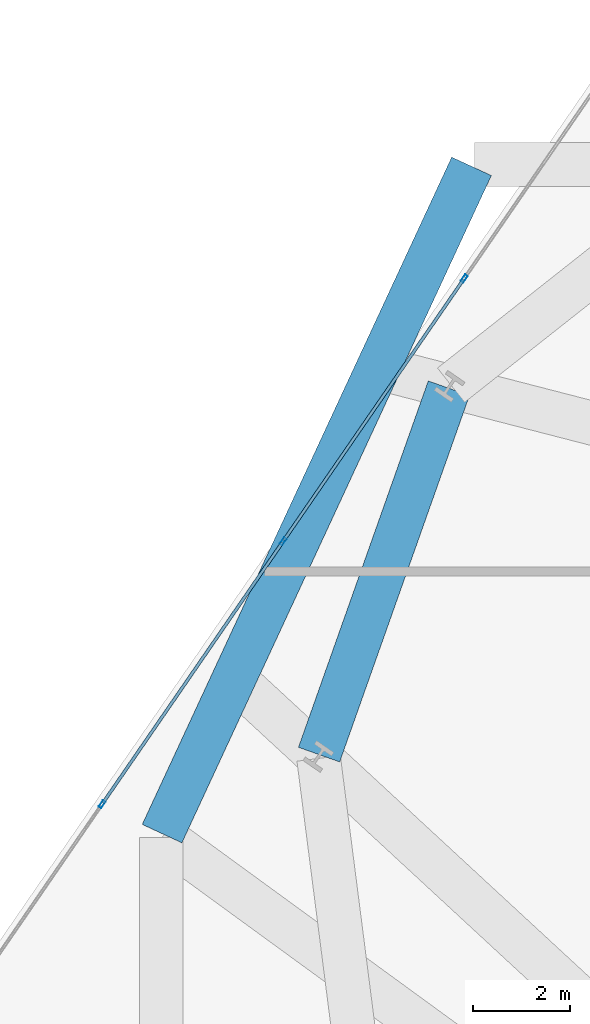
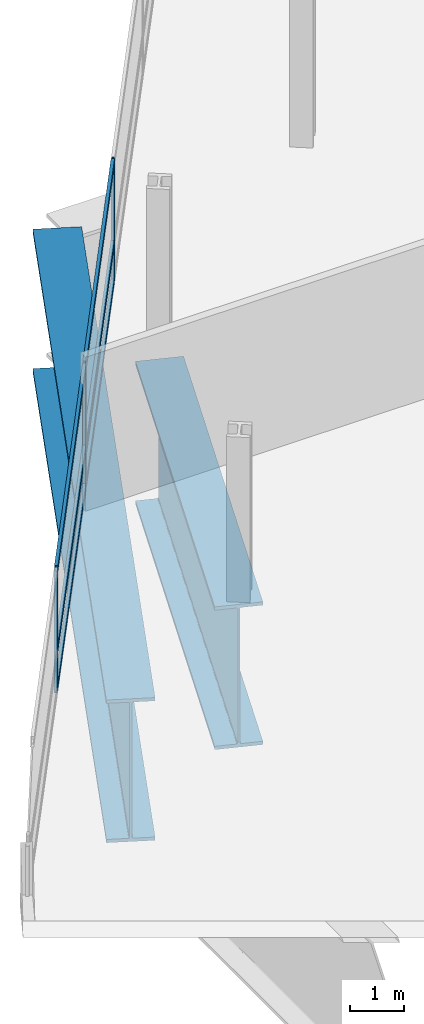
# One storey, part 4 of 26: 9 members, 2 beams, 1 element without a shape of its own.
"""IFC4 building model written with IfcOpenShell, lengths in metres."""

from ifc_helpers import new_model, si_unit, direction, frame, origin, origin_2d, place, context, subcontext, project, spatial, hollow_rectangle, i_section, extrude, material, layer, layer_set, material_profile, profile_set, type_object, element, aggregate, save


model = new_model("IFC4")

# Units and contexts
model_context = context("Model", 3, precision=1e-05, world=origin(), true_north=direction((0.0, 1.0)))
body_context = subcontext(model_context, "Body", "Model", "MODEL_VIEW")
ifc_project = project(units=[si_unit("LENGTHUNIT", "METRE"), si_unit("AREAUNIT", "SQUARE_METRE"), si_unit("VOLUMEUNIT", "CUBIC_METRE"), si_unit("PLANEANGLEUNIT", "RADIAN"), si_unit("MASSUNIT", "GRAM", prefix="KILO")], contexts=[model_context])

# Site, building, storey
site_placement = place(None, origin())
site = spatial("IfcSite", under=ifc_project, at=site_placement, CompositionType="ELEMENT")
building_placement = place(site_placement, origin())
building = spatial("IfcBuilding", under=site, at=building_placement, Name="Varnelok Gate Tower", CompositionType="ELEMENT")
storey_placement = place(building_placement, frame((0.0, 0.0, 27.0)))
storey = spatial("IfcBuildingStorey", under=building, at=storey_placement, Name="L05", CompositionType="ELEMENT", Elevation=27.0)

# Beams
ifc_material_1 = material(Name="Structural Steel ASTM A572 Grade 50", Category="steel")
ifc_material_profile_1 = material_profile(ifc_material_1, i_section(OverallWidth=0.89990234375, OverallDepth=3.199951171875, WebThickness=0.0400390625, FlangeThickness=0.074951171875, FilletRadius=0.030029296875, at=origin_2d()), Name="PG3200X900")
ifc_profile_set_1 = profile_set([ifc_material_profile_1], Name="Structural Steel ASTM A572 Grade 50")
beam_type = type_object("IfcBeamType", Name="BM-TR-PG3200", PredefinedType="BEAM", material=ifc_profile_set_1)
beam_1_placement = place(storey_placement, frame((7.18310546875, 49.763671875, -1.85009765625), z_axis=(-0.420721129441, -0.907190019369, 0.0), x_axis=(0.907190019369, -0.420721129441, 0.0)))
element("IfcBeam", 1, at=beam_1_placement, inside=storey, type_object=beam_type, Name="L05 Transfer Support Ring Girder 10", PredefinedType="BEAM", context=body_context, shape_type="SweptSolid", body=[
    extrude(i_section(OverallWidth=0.89990234375, OverallDepth=3.199951171875, WebThickness=0.0400390625, FlangeThickness=0.074951171875, FilletRadius=0.030029296875, at=origin_2d()), origin(), (0.0, 0.0, 1.0), 15.131591796875),
])
beam_2_placement = place(storey_placement, frame((6.716552734375, 45.19970703125, -1.85009765625), z_axis=(-0.333894612912, -0.942610411288, 0.0), x_axis=(0.942610411288, -0.333894612912, 0.0)))
element("IfcBeam", 2, at=beam_2_placement, inside=storey, type_object=beam_type, Name="L05 Upper Perimeter Transfer Ring 15", PredefinedType="BEAM", context=body_context, shape_type="SweptSolid", body=[
    extrude(i_section(OverallWidth=0.89990234375, OverallDepth=3.199951171875, WebThickness=0.0400390625, FlangeThickness=0.074951171875, FilletRadius=0.030029296875, at=origin_2d()), origin(), (0.0, 0.0, 1.0), 7.9970703125),
])

# Curtain wall, members
ifc_material_2 = material(Name="Anodized Aluminum Alloy 6063-T6", Category="aluminium")
ifc_layer = layer(ifc_material_2, 0.179931640625)
ifc_layer_set = layer_set([ifc_layer], Name="Anodized Aluminum Alloy 6063-T6")
curtain_wall_type = type_object("IfcCurtainWallType", Name="CW3-HOTEL-VISION", PredefinedType="USERDEFINED", material=ifc_layer_set)
curtain_wall_placement = place(storey_placement, origin())
curtain_wall = element("IfcCurtainWall", 3, at=curtain_wall_placement, inside=storey, type_object=curtain_wall_type, Name="L05 West End Vision Curtain Wall", ObjectType="UNITISED CURTAIN WALL", PredefinedType="USERDEFINED")
ifc_material_profile_2 = material_profile(ifc_material_2, hollow_rectangle(XDim=0.06494140625, YDim=0.159912109375, WallThickness=0.00390625, at=origin_2d()), Name="ALU160X65X4")
ifc_profile_set_2 = profile_set([ifc_material_profile_2], Name="Anodized Aluminum Alloy 6063-T6")
member_type_1 = type_object("IfcMemberType", Name="CW-MULL-160", PredefinedType="MULLION", material=ifc_profile_set_2)
member_1_placement = place(storey_placement, frame((-0.417236328125, 36.641845703125, 0.0), z_axis=(0.0, 0.0, 1.0), x_axis=(-0.823532685111, 0.567268822124, 0.0)))
member_1 = element("IfcMember", 4, at=member_1_placement, type_object=member_type_1, Name="CW3 mullion 2", PredefinedType="MULLION", context=body_context, shape_type="SweptSolid", body=[
    extrude(hollow_rectangle(XDim=0.06494140625, YDim=0.159912109375, WallThickness=0.00390625, at=origin_2d()), origin(), (0.0, 0.0, 1.0), 2.72998046875),
])
member_2_placement = place(storey_placement, frame((3.3076171875, 42.049560546875, 0.0), z_axis=(0.0, 0.0, 1.0), x_axis=(-0.823532685111, 0.567268822124, 0.0)))
member_2 = element("IfcMember", 5, at=member_2_placement, type_object=member_type_1, Name="CW3 mullion 3", PredefinedType="MULLION", context=body_context, shape_type="SweptSolid", body=[
    extrude(hollow_rectangle(XDim=0.06494140625, YDim=0.159912109375, WallThickness=0.00390625, at=origin_2d()), origin(), (0.0, 0.0, 1.0), 2.72998046875),
])
member_3_placement = place(storey_placement, frame((7.03271484375, 47.45751953125, 0.0), z_axis=(0.0, 0.0, 1.0), x_axis=(-0.823532685111, 0.567268822124, 0.0)))
member_3 = element("IfcMember", 6, at=member_3_placement, type_object=member_type_1, Name="CW3 mullion 4", PredefinedType="MULLION", context=body_context, shape_type="SweptSolid", body=[
    extrude(hollow_rectangle(XDim=0.06494140625, YDim=0.159912109375, WallThickness=0.00390625, at=origin_2d()), origin(), (0.0, 0.0, 1.0), 2.72998046875),
])
ifc_material_profile_3 = material_profile(ifc_material_2, hollow_rectangle(XDim=0.06494140625, YDim=0.159912109375, WallThickness=0.00390625, at=origin_2d()), Name="ALU160X65X4")
ifc_profile_set_3 = profile_set([ifc_material_profile_3], Name="Anodized Aluminum Alloy 6063-T6")
member_type_2 = type_object("IfcMemberType", Name="CW-TRAN-160", PredefinedType="USERDEFINED", material=ifc_profile_set_3)
member_4_placement = place(storey_placement, frame((-0.39892578125, 36.66845703125, 0.032470703125), z_axis=(0.567261662339, 0.823537616894, 0.0), x_axis=(-0.823537616894, 0.567261662339, 0.0)))
member_4 = element("IfcMember", 7, at=member_4_placement, type_object=member_type_2, Name="CW3 transom 2.1", ObjectType="TRANSOM", PredefinedType="USERDEFINED", context=body_context, shape_type="SweptSolid", body=[
    extrude(hollow_rectangle(XDim=0.06494140625, YDim=0.159912109375, WallThickness=0.00390625, at=origin_2d()), origin(), (0.0, 0.0, 1.0), 6.501708984375),
])
member_5_placement = place(storey_placement, frame((-0.39892578125, 36.66845703125, 0.89990234375), z_axis=(0.567261662339, 0.823537616894, 0.0), x_axis=(-0.823537616894, 0.567261662339, 0.0)))
member_5 = element("IfcMember", 8, at=member_5_placement, type_object=member_type_2, Name="CW3 transom 2.2", ObjectType="TRANSOM", PredefinedType="USERDEFINED", context=body_context, shape_type="SweptSolid", body=[
    extrude(hollow_rectangle(XDim=0.06494140625, YDim=0.159912109375, WallThickness=0.00390625, at=origin_2d()), origin(), (0.0, 0.0, 1.0), 6.501708984375),
])
member_6_placement = place(storey_placement, frame((-0.39892578125, 36.66845703125, 2.697509765625), z_axis=(0.567261662339, 0.823537616894, 0.0), x_axis=(-0.823537616894, 0.567261662339, 0.0)))
member_6 = element("IfcMember", 9, at=member_6_placement, type_object=member_type_2, Name="CW3 transom 2.3", ObjectType="TRANSOM", PredefinedType="USERDEFINED", context=body_context, shape_type="SweptSolid", body=[
    extrude(hollow_rectangle(XDim=0.06494140625, YDim=0.159912109375, WallThickness=0.00390625, at=origin_2d()), origin(), (0.0, 0.0, 1.0), 6.501708984375),
])
member_7_placement = place(storey_placement, frame((3.326171875, 42.076416015625, 0.032470703125), z_axis=(0.567279204469, 0.823525533409, 0.0), x_axis=(-0.823525533409, 0.567279204469, 0.0)))
member_7 = element("IfcMember", 10, at=member_7_placement, type_object=member_type_2, Name="CW3 transom 3.1", ObjectType="TRANSOM", PredefinedType="USERDEFINED", context=body_context, shape_type="SweptSolid", body=[
    extrude(hollow_rectangle(XDim=0.06494140625, YDim=0.159912109375, WallThickness=0.00390625, at=origin_2d()), origin(), (0.0, 0.0, 1.0), 6.501708984375),
])
member_8_placement = place(storey_placement, frame((3.326171875, 42.076416015625, 0.89990234375), z_axis=(0.567279204469, 0.823525533409, 0.0), x_axis=(-0.823525533409, 0.567279204469, 0.0)))
member_8 = element("IfcMember", 11, at=member_8_placement, type_object=member_type_2, Name="CW3 transom 3.2", ObjectType="TRANSOM", PredefinedType="USERDEFINED", context=body_context, shape_type="SweptSolid", body=[
    extrude(hollow_rectangle(XDim=0.06494140625, YDim=0.159912109375, WallThickness=0.00390625, at=origin_2d()), origin(), (0.0, 0.0, 1.0), 6.501708984375),
])
member_9_placement = place(storey_placement, frame((3.326171875, 42.076416015625, 2.697509765625), z_axis=(0.567279204469, 0.823525533409, 0.0), x_axis=(-0.823525533409, 0.567279204469, 0.0)))
member_9 = element("IfcMember", 12, at=member_9_placement, type_object=member_type_2, Name="CW3 transom 3.3", ObjectType="TRANSOM", PredefinedType="USERDEFINED", context=body_context, shape_type="SweptSolid", body=[
    extrude(hollow_rectangle(XDim=0.06494140625, YDim=0.159912109375, WallThickness=0.00390625, at=origin_2d()), origin(), (0.0, 0.0, 1.0), 6.501708984375),
])
aggregate(curtain_wall, [member_1, member_2, member_3, member_4, member_5, member_6, member_7, member_8, member_9])

save(model, "model.ifc")
